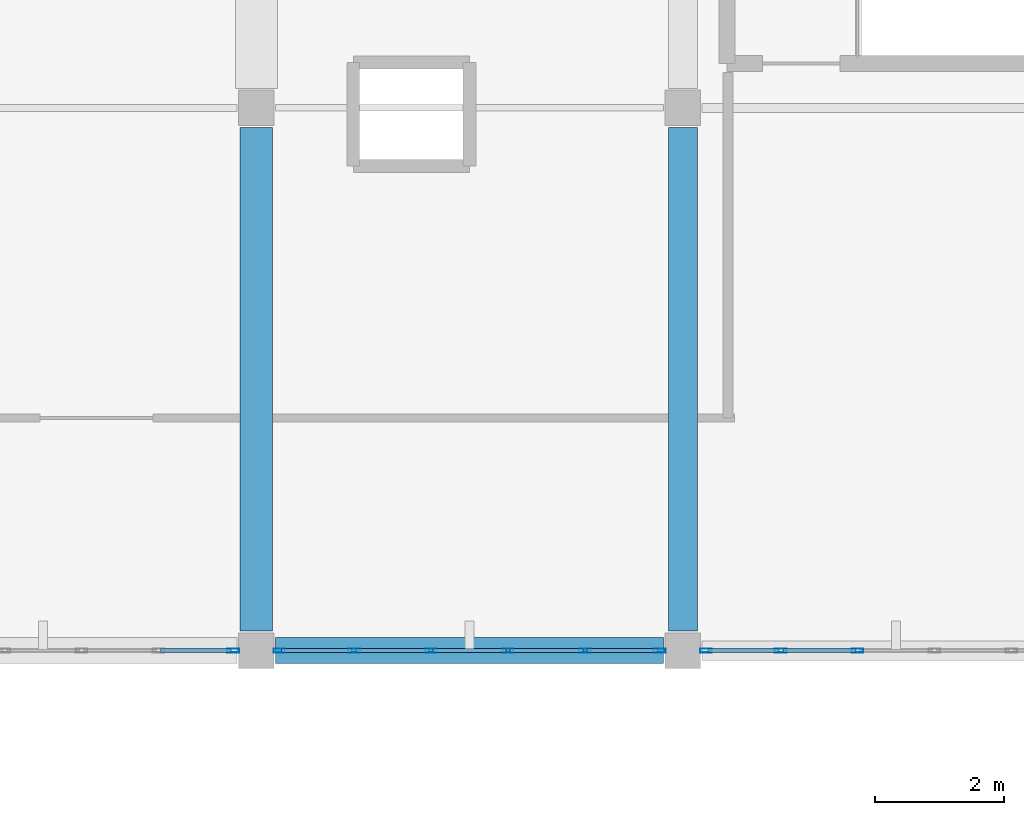
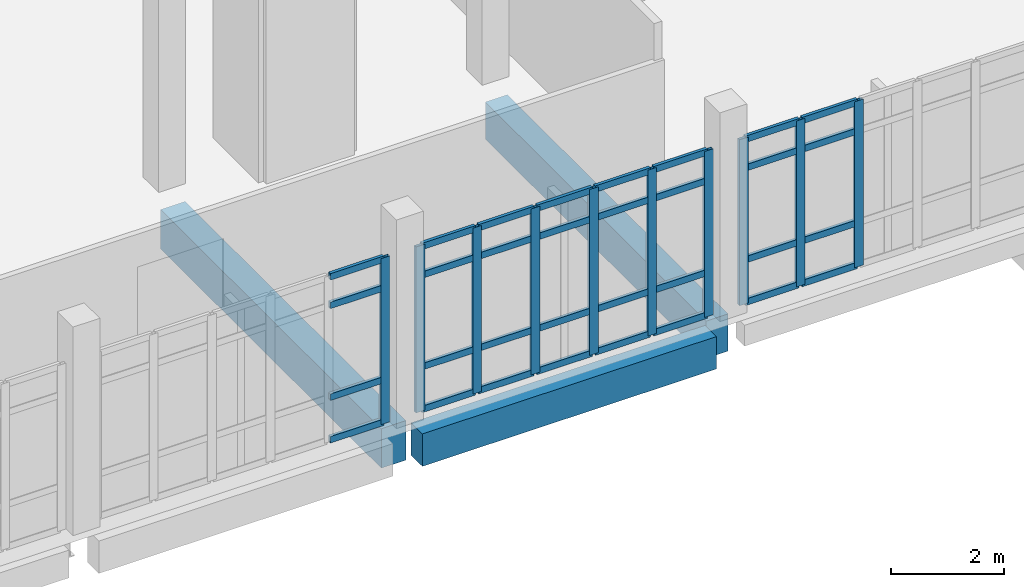
# One storey, part 82 of 134: 42 members, 3 beams, 3 elements without a shape of their own.
"""IFC4 building model written with IfcOpenShell, lengths in metres."""

from ifc_helpers import new_model, si_unit, direction, frame, origin, origin_2d, place, context, subcontext, project, spatial, rectangle, hollow_rectangle, extrude, material, material_profile, profile_set, type_object, element, aggregate, save


model = new_model("IFC4")

# Units and contexts
model_context = context("Model", 3, precision=1e-05, world=origin(), true_north=direction((0.0, 1.0)))
body_context = subcontext(model_context, "Body", "Model", "MODEL_VIEW")
ifc_project = project(units=[si_unit("LENGTHUNIT", "METRE"), si_unit("AREAUNIT", "SQUARE_METRE"), si_unit("VOLUMEUNIT", "CUBIC_METRE"), si_unit("PLANEANGLEUNIT", "RADIAN"), si_unit("MASSUNIT", "GRAM", prefix="KILO")], contexts=[model_context])

# Site, building, storey
site_placement = place(None, origin())
site = spatial("IfcSite", under=ifc_project, at=site_placement, CompositionType="ELEMENT")
building_placement = place(site_placement, origin())
building = spatial("IfcBuilding", under=site, at=building_placement, Name="Kalluvel Institute of Natural Sciences", CompositionType="ELEMENT")
storey_placement = place(building_placement, frame((0.0, 0.0, 5.39990234375)))
storey = spatial("IfcBuildingStorey", under=building, at=storey_placement, Name="L01", CompositionType="ELEMENT", Elevation=5.39990234375)

# Beams
ifc_material_1 = material(Name="Concrete M40", Category="concrete")
ifc_material_profile_1 = material_profile(ifc_material_1, rectangle(XDim=0.449951171875, YDim=0.800048828125, at=origin_2d()), Name="RCB 450x800")
ifc_profile_set_1 = profile_set([ifc_material_profile_1], Name="Concrete M40")
beam_type_1 = type_object("IfcBeamType", Name="BM-RC450x800", PredefinedType="BEAM", material=ifc_profile_set_1)
beam_1_placement = place(storey_placement, frame((149.0, 103.10009765625, -0.760009765625), z_axis=(0.0, 1.0, 0.0), x_axis=(-1.0, 0.0, 0.0)))
element("IfcBeam", 1, at=beam_1_placement, inside=storey, type_object=beam_type_1, Name="L01 girder GIR-L01-NS-X1490-Y1028", PredefinedType="BEAM", context=body_context, shape_type="SweptSolid", body=[
    extrude(rectangle(XDim=0.449951171875, YDim=0.800048828125, at=origin_2d()), origin(), (0.0, 0.0, 1.0), 7.7998046875),
])
ifc_material_2 = material(Name="Concrete M50", Category="concrete")
ifc_material_profile_2 = material_profile(ifc_material_2, rectangle(XDim=0.5, YDim=0.85009765625, at=origin_2d()), Name="RCB 500x850")
ifc_profile_set_2 = profile_set([ifc_material_profile_2], Name="Concrete M50")
beam_type_2 = type_object("IfcBeamType", Name="BM-RC500x850", PredefinedType="BEAM", material=ifc_profile_set_2)
beam_2_placement = place(storey_placement, frame((142.39990234375, 103.10009765625, -0.784912109375), z_axis=(0.0, 1.0, 0.0), x_axis=(-1.0, 0.0, 0.0)))
element("IfcBeam", 2, at=beam_2_placement, inside=storey, type_object=beam_type_2, Name="L01 girder GIR-L01-NS-X1424-Y1028", PredefinedType="BEAM", context=body_context, shape_type="SweptSolid", body=[
    extrude(rectangle(XDim=0.5, YDim=0.85009765625, at=origin_2d()), origin(), (0.0, 0.0, 1.0), 7.7998046875),
])

# Curtain wall, member
ifc_material_3 = material(Name="Aluminium AW-6063 T6", Category="aluminium")
curtain_wall_type = type_object("IfcCurtainWallType", Name="CW-CLN-45", PredefinedType="USERDEFINED", material=ifc_material_3)
curtain_wall_1_placement = place(storey_placement, origin())
curtain_wall_1 = element("IfcCurtainWall", 3, at=curtain_wall_1_placement, inside=storey, type_object=curtain_wall_type, Name="L01 Gothic lancet curtain wall CWA-L01-X1361-Y1028", ObjectType="UNITISED LANCET FACADE", PredefinedType="USERDEFINED")
ifc_material_profile_3 = material_profile(ifc_material_3, hollow_rectangle(XDim=0.06494140625, YDim=0.179931640625, WallThickness=0.00439453125, at=origin_2d()), Name="CWM 65x180")
ifc_profile_set_3 = profile_set([ifc_material_profile_3], Name="Aluminium AW-6063 T6")
member_type_1 = type_object("IfcMemberType", Name="CWM-65x180", PredefinedType="MULLION", material=ifc_profile_set_3)
member_1_placement = place(storey_placement, frame((142.04248046875, 102.800048828125, 0.0), z_axis=(0.0, 0.0, 1.0), x_axis=(0.0, 1.0, 0.0)))
member_1 = element("IfcMember", 4, at=member_1_placement, type_object=member_type_1, Name="CW-08 mullion 6", PredefinedType="MULLION", context=body_context, shape_type="SweptSolid", body=[
    extrude(hollow_rectangle(XDim=0.06494140625, YDim=0.179931640625, WallThickness=0.00439453125, at=origin_2d()), origin(), (0.0, 0.0, 1.0), 3.580078125),
])

# Curtain wall, members
curtain_wall_2_placement = place(storey_placement, origin())
curtain_wall_2 = element("IfcCurtainWall", 5, at=curtain_wall_2_placement, inside=storey, type_object=curtain_wall_type, Name="L01 Gothic lancet curtain wall CWA-L01-X1427-Y1028", ObjectType="UNITISED LANCET FACADE", PredefinedType="USERDEFINED")
member_2_placement = place(storey_placement, frame((142.757568359375, 102.800048828125, 0.0), z_axis=(0.0, 0.0, 1.0), x_axis=(0.0, 1.0, 0.0)))
member_2 = element("IfcMember", 6, at=member_2_placement, type_object=member_type_1, Name="CW-08 mullion 1", PredefinedType="MULLION", context=body_context, shape_type="SweptSolid", body=[
    extrude(hollow_rectangle(XDim=0.06494140625, YDim=0.179931640625, WallThickness=0.00439453125, at=origin_2d()), origin(), (0.0, 0.0, 1.0), 3.580078125),
])
member_3_placement = place(storey_placement, frame((143.9150390625, 102.800048828125, 0.0), z_axis=(0.0, 0.0, 1.0), x_axis=(0.0, 1.0, 0.0)))
member_3 = element("IfcMember", 7, at=member_3_placement, type_object=member_type_1, Name="CW-08 mullion 2", PredefinedType="MULLION", context=body_context, shape_type="SweptSolid", body=[
    extrude(hollow_rectangle(XDim=0.06494140625, YDim=0.179931640625, WallThickness=0.00439453125, at=origin_2d()), origin(), (0.0, 0.0, 1.0), 3.580078125),
])
member_4_placement = place(storey_placement, frame((145.10498046875, 102.800048828125, 0.0), z_axis=(0.0, 0.0, 1.0), x_axis=(0.0, 1.0, 0.0)))
member_4 = element("IfcMember", 8, at=member_4_placement, type_object=member_type_1, Name="CW-08 mullion 3", PredefinedType="MULLION", context=body_context, shape_type="SweptSolid", body=[
    extrude(hollow_rectangle(XDim=0.06494140625, YDim=0.179931640625, WallThickness=0.00439453125, at=origin_2d()), origin(), (0.0, 0.0, 1.0), 3.580078125),
])
member_5_placement = place(storey_placement, frame((146.294921875, 102.800048828125, 0.0), z_axis=(0.0, 0.0, 1.0), x_axis=(0.0, 1.0, 0.0)))
member_5 = element("IfcMember", 9, at=member_5_placement, type_object=member_type_1, Name="CW-08 mullion 4", PredefinedType="MULLION", context=body_context, shape_type="SweptSolid", body=[
    extrude(hollow_rectangle(XDim=0.06494140625, YDim=0.179931640625, WallThickness=0.00439453125, at=origin_2d()), origin(), (0.0, 0.0, 1.0), 3.580078125),
])
member_6_placement = place(storey_placement, frame((147.485107421875, 102.800048828125, 0.0), z_axis=(0.0, 0.0, 1.0), x_axis=(0.0, 1.0, 0.0)))
member_6 = element("IfcMember", 10, at=member_6_placement, type_object=member_type_1, Name="CW-08 mullion 5", PredefinedType="MULLION", context=body_context, shape_type="SweptSolid", body=[
    extrude(hollow_rectangle(XDim=0.06494140625, YDim=0.179931640625, WallThickness=0.00439453125, at=origin_2d()), origin(), (0.0, 0.0, 1.0), 3.580078125),
])
member_7_placement = place(storey_placement, frame((148.642578125, 102.800048828125, 0.0), z_axis=(0.0, 0.0, 1.0), x_axis=(0.0, 1.0, 0.0)))
member_7 = element("IfcMember", 11, at=member_7_placement, type_object=member_type_1, Name="CW-08 mullion 6", PredefinedType="MULLION", context=body_context, shape_type="SweptSolid", body=[
    extrude(hollow_rectangle(XDim=0.06494140625, YDim=0.179931640625, WallThickness=0.00439453125, at=origin_2d()), origin(), (0.0, 0.0, 1.0), 3.580078125),
])

curtain_wall_3_placement = place(storey_placement, origin())
curtain_wall_3 = element("IfcCurtainWall", 12, at=curtain_wall_3_placement, inside=storey, type_object=curtain_wall_type, Name="L01 Gothic lancet curtain wall CWA-L01-X1493-Y1028", ObjectType="UNITISED LANCET FACADE", PredefinedType="USERDEFINED")
member_8_placement = place(storey_placement, frame((149.357421875, 102.800048828125, 0.0), z_axis=(0.0, 0.0, 1.0), x_axis=(0.0, 1.0, 0.0)))
member_8 = element("IfcMember", 13, at=member_8_placement, type_object=member_type_1, Name="CW-08 mullion 1", PredefinedType="MULLION", context=body_context, shape_type="SweptSolid", body=[
    extrude(hollow_rectangle(XDim=0.06494140625, YDim=0.179931640625, WallThickness=0.00439453125, at=origin_2d()), origin(), (0.0, 0.0, 1.0), 3.580078125),
])
member_9_placement = place(storey_placement, frame((150.514892578125, 102.800048828125, 0.0), z_axis=(0.0, 0.0, 1.0), x_axis=(0.0, 1.0, 0.0)))
member_9 = element("IfcMember", 14, at=member_9_placement, type_object=member_type_1, Name="CW-08 mullion 2", PredefinedType="MULLION", context=body_context, shape_type="SweptSolid", body=[
    extrude(hollow_rectangle(XDim=0.06494140625, YDim=0.179931640625, WallThickness=0.00439453125, at=origin_2d()), origin(), (0.0, 0.0, 1.0), 3.580078125),
])
member_10_placement = place(storey_placement, frame((151.705078125, 102.800048828125, 0.0), z_axis=(0.0, 0.0, 1.0), x_axis=(0.0, 1.0, 0.0)))
member_10 = element("IfcMember", 15, at=member_10_placement, type_object=member_type_1, Name="CW-08 mullion 3", PredefinedType="MULLION", context=body_context, shape_type="SweptSolid", body=[
    extrude(hollow_rectangle(XDim=0.06494140625, YDim=0.179931640625, WallThickness=0.00439453125, at=origin_2d()), origin(), (0.0, 0.0, 1.0), 3.580078125),
])

# Member
ifc_material_profile_4 = material_profile(ifc_material_3, hollow_rectangle(XDim=0.06494140625, YDim=0.139892578125, WallThickness=0.00439453125, at=origin_2d()), Name="CWT 65x140")
ifc_profile_set_4 = profile_set([ifc_material_profile_4], Name="Aluminium AW-6063 T6")
member_type_2 = type_object("IfcMemberType", Name="CWT-65x140", PredefinedType="USERDEFINED", material=ifc_profile_set_4)
member_11_placement = place(storey_placement, frame((140.91748046875, 102.800048828125, 0.03271484375), z_axis=(1.0, 0.0, 0.0), x_axis=(0.0, 1.0, 0.0)))
member_11 = element("IfcMember", 16, at=member_11_placement, type_object=member_type_2, Name="CW-08 transom 5.1", ObjectType="TRANSOM", PredefinedType="USERDEFINED", context=body_context, shape_type="SweptSolid", body=[
    extrude(hollow_rectangle(XDim=0.06494140625, YDim=0.139892578125, WallThickness=0.00439453125, at=origin_2d()), origin(), (0.0, 0.0, 1.0), 1.092529296875),
])

member_12_placement = place(storey_placement, frame((140.91748046875, 102.800048828125, 0.9501953125), z_axis=(1.0, 0.0, 0.0), x_axis=(0.0, 1.0, 0.0)))
member_12 = element("IfcMember", 17, at=member_12_placement, type_object=member_type_2, Name="CW-08 transom 5.2", ObjectType="TRANSOM", PredefinedType="USERDEFINED", context=body_context, shape_type="SweptSolid", body=[
    extrude(hollow_rectangle(XDim=0.06494140625, YDim=0.139892578125, WallThickness=0.00439453125, at=origin_2d()), origin(), (0.0, 0.0, 1.0), 1.092529296875),
])

member_13_placement = place(storey_placement, frame((140.91748046875, 102.800048828125, 2.93017578125), z_axis=(1.0, 0.0, 0.0), x_axis=(0.0, 1.0, 0.0)))
member_13 = element("IfcMember", 18, at=member_13_placement, type_object=member_type_2, Name="CW-08 transom 5.3", ObjectType="TRANSOM", PredefinedType="USERDEFINED", context=body_context, shape_type="SweptSolid", body=[
    extrude(hollow_rectangle(XDim=0.06494140625, YDim=0.139892578125, WallThickness=0.00439453125, at=origin_2d()), origin(), (0.0, 0.0, 1.0), 1.092529296875),
])

member_14_placement = place(storey_placement, frame((140.91748046875, 102.800048828125, 3.547607421875), z_axis=(1.0, 0.0, 0.0), x_axis=(0.0, 1.0, 0.0)))
member_14 = element("IfcMember", 19, at=member_14_placement, type_object=member_type_2, Name="CW-08 transom 5.4", ObjectType="TRANSOM", PredefinedType="USERDEFINED", context=body_context, shape_type="SweptSolid", body=[
    extrude(hollow_rectangle(XDim=0.06494140625, YDim=0.139892578125, WallThickness=0.00439453125, at=origin_2d()), origin(), (0.0, 0.0, 1.0), 1.092529296875),
])

aggregate(curtain_wall_1, [member_1, member_11, member_12, member_13, member_14])

member_15_placement = place(storey_placement, frame((142.7900390625, 102.800048828125, 0.03271484375), z_axis=(1.0, 0.0, 0.0), x_axis=(0.0, 1.0, 0.0)))
member_15 = element("IfcMember", 20, at=member_15_placement, type_object=member_type_2, Name="CW-08 transom 1.1", ObjectType="TRANSOM", PredefinedType="USERDEFINED", context=body_context, shape_type="SweptSolid", body=[
    extrude(hollow_rectangle(XDim=0.06494140625, YDim=0.139892578125, WallThickness=0.00439453125, at=origin_2d()), origin(), (0.0, 0.0, 1.0), 1.092529296875),
])

member_16_placement = place(storey_placement, frame((142.7900390625, 102.800048828125, 0.9501953125), z_axis=(1.0, 0.0, 0.0), x_axis=(0.0, 1.0, 0.0)))
member_16 = element("IfcMember", 21, at=member_16_placement, type_object=member_type_2, Name="CW-08 transom 1.2", ObjectType="TRANSOM", PredefinedType="USERDEFINED", context=body_context, shape_type="SweptSolid", body=[
    extrude(hollow_rectangle(XDim=0.06494140625, YDim=0.139892578125, WallThickness=0.00439453125, at=origin_2d()), origin(), (0.0, 0.0, 1.0), 1.092529296875),
])

member_17_placement = place(storey_placement, frame((142.7900390625, 102.800048828125, 2.93017578125), z_axis=(1.0, 0.0, 0.0), x_axis=(0.0, 1.0, 0.0)))
member_17 = element("IfcMember", 22, at=member_17_placement, type_object=member_type_2, Name="CW-08 transom 1.3", ObjectType="TRANSOM", PredefinedType="USERDEFINED", context=body_context, shape_type="SweptSolid", body=[
    extrude(hollow_rectangle(XDim=0.06494140625, YDim=0.139892578125, WallThickness=0.00439453125, at=origin_2d()), origin(), (0.0, 0.0, 1.0), 1.092529296875),
])

member_18_placement = place(storey_placement, frame((142.7900390625, 102.800048828125, 3.547607421875), z_axis=(1.0, 0.0, 0.0), x_axis=(0.0, 1.0, 0.0)))
member_18 = element("IfcMember", 23, at=member_18_placement, type_object=member_type_2, Name="CW-08 transom 1.4", ObjectType="TRANSOM", PredefinedType="USERDEFINED", context=body_context, shape_type="SweptSolid", body=[
    extrude(hollow_rectangle(XDim=0.06494140625, YDim=0.139892578125, WallThickness=0.00439453125, at=origin_2d()), origin(), (0.0, 0.0, 1.0), 1.092529296875),
])

member_19_placement = place(storey_placement, frame((143.947509765625, 102.800048828125, 0.03271484375), z_axis=(1.0, 0.0, 0.0), x_axis=(0.0, 1.0, 0.0)))
member_19 = element("IfcMember", 24, at=member_19_placement, type_object=member_type_2, Name="CW-08 transom 2.1", ObjectType="TRANSOM", PredefinedType="USERDEFINED", context=body_context, shape_type="SweptSolid", body=[
    extrude(hollow_rectangle(XDim=0.06494140625, YDim=0.139892578125, WallThickness=0.00439453125, at=origin_2d()), origin(), (0.0, 0.0, 1.0), 1.125),
])

member_20_placement = place(storey_placement, frame((143.947509765625, 102.800048828125, 0.9501953125), z_axis=(1.0, 0.0, 0.0), x_axis=(0.0, 1.0, 0.0)))
member_20 = element("IfcMember", 25, at=member_20_placement, type_object=member_type_2, Name="CW-08 transom 2.2", ObjectType="TRANSOM", PredefinedType="USERDEFINED", context=body_context, shape_type="SweptSolid", body=[
    extrude(hollow_rectangle(XDim=0.06494140625, YDim=0.139892578125, WallThickness=0.00439453125, at=origin_2d()), origin(), (0.0, 0.0, 1.0), 1.125),
])

member_21_placement = place(storey_placement, frame((143.947509765625, 102.800048828125, 2.93017578125), z_axis=(1.0, 0.0, 0.0), x_axis=(0.0, 1.0, 0.0)))
member_21 = element("IfcMember", 26, at=member_21_placement, type_object=member_type_2, Name="CW-08 transom 2.3", ObjectType="TRANSOM", PredefinedType="USERDEFINED", context=body_context, shape_type="SweptSolid", body=[
    extrude(hollow_rectangle(XDim=0.06494140625, YDim=0.139892578125, WallThickness=0.00439453125, at=origin_2d()), origin(), (0.0, 0.0, 1.0), 1.125),
])

member_22_placement = place(storey_placement, frame((143.947509765625, 102.800048828125, 3.547607421875), z_axis=(1.0, 0.0, 0.0), x_axis=(0.0, 1.0, 0.0)))
member_22 = element("IfcMember", 27, at=member_22_placement, type_object=member_type_2, Name="CW-08 transom 2.4", ObjectType="TRANSOM", PredefinedType="USERDEFINED", context=body_context, shape_type="SweptSolid", body=[
    extrude(hollow_rectangle(XDim=0.06494140625, YDim=0.139892578125, WallThickness=0.00439453125, at=origin_2d()), origin(), (0.0, 0.0, 1.0), 1.125),
])

member_23_placement = place(storey_placement, frame((145.137451171875, 102.800048828125, 0.03271484375), z_axis=(1.0, 0.0, 0.0), x_axis=(0.0, 1.0, 0.0)))
member_23 = element("IfcMember", 28, at=member_23_placement, type_object=member_type_2, Name="CW-08 transom 3.1", ObjectType="TRANSOM", PredefinedType="USERDEFINED", context=body_context, shape_type="SweptSolid", body=[
    extrude(hollow_rectangle(XDim=0.06494140625, YDim=0.139892578125, WallThickness=0.00439453125, at=origin_2d()), origin(), (0.0, 0.0, 1.0), 1.125),
])

member_24_placement = place(storey_placement, frame((145.137451171875, 102.800048828125, 0.9501953125), z_axis=(1.0, 0.0, 0.0), x_axis=(0.0, 1.0, 0.0)))
member_24 = element("IfcMember", 29, at=member_24_placement, type_object=member_type_2, Name="CW-08 transom 3.2", ObjectType="TRANSOM", PredefinedType="USERDEFINED", context=body_context, shape_type="SweptSolid", body=[
    extrude(hollow_rectangle(XDim=0.06494140625, YDim=0.139892578125, WallThickness=0.00439453125, at=origin_2d()), origin(), (0.0, 0.0, 1.0), 1.125),
])

member_25_placement = place(storey_placement, frame((145.137451171875, 102.800048828125, 2.93017578125), z_axis=(1.0, 0.0, 0.0), x_axis=(0.0, 1.0, 0.0)))
member_25 = element("IfcMember", 30, at=member_25_placement, type_object=member_type_2, Name="CW-08 transom 3.3", ObjectType="TRANSOM", PredefinedType="USERDEFINED", context=body_context, shape_type="SweptSolid", body=[
    extrude(hollow_rectangle(XDim=0.06494140625, YDim=0.139892578125, WallThickness=0.00439453125, at=origin_2d()), origin(), (0.0, 0.0, 1.0), 1.125),
])

member_26_placement = place(storey_placement, frame((145.137451171875, 102.800048828125, 3.547607421875), z_axis=(1.0, 0.0, 0.0), x_axis=(0.0, 1.0, 0.0)))
member_26 = element("IfcMember", 31, at=member_26_placement, type_object=member_type_2, Name="CW-08 transom 3.4", ObjectType="TRANSOM", PredefinedType="USERDEFINED", context=body_context, shape_type="SweptSolid", body=[
    extrude(hollow_rectangle(XDim=0.06494140625, YDim=0.139892578125, WallThickness=0.00439453125, at=origin_2d()), origin(), (0.0, 0.0, 1.0), 1.125),
])

member_27_placement = place(storey_placement, frame((146.327392578125, 102.800048828125, 0.03271484375), z_axis=(1.0, 0.0, 0.0), x_axis=(0.0, 1.0, 0.0)))
member_27 = element("IfcMember", 32, at=member_27_placement, type_object=member_type_2, Name="CW-08 transom 4.1", ObjectType="TRANSOM", PredefinedType="USERDEFINED", context=body_context, shape_type="SweptSolid", body=[
    extrude(hollow_rectangle(XDim=0.06494140625, YDim=0.139892578125, WallThickness=0.00439453125, at=origin_2d()), origin(), (0.0, 0.0, 1.0), 1.125),
])

member_28_placement = place(storey_placement, frame((146.327392578125, 102.800048828125, 0.9501953125), z_axis=(1.0, 0.0, 0.0), x_axis=(0.0, 1.0, 0.0)))
member_28 = element("IfcMember", 33, at=member_28_placement, type_object=member_type_2, Name="CW-08 transom 4.2", ObjectType="TRANSOM", PredefinedType="USERDEFINED", context=body_context, shape_type="SweptSolid", body=[
    extrude(hollow_rectangle(XDim=0.06494140625, YDim=0.139892578125, WallThickness=0.00439453125, at=origin_2d()), origin(), (0.0, 0.0, 1.0), 1.125),
])

member_29_placement = place(storey_placement, frame((146.327392578125, 102.800048828125, 2.93017578125), z_axis=(1.0, 0.0, 0.0), x_axis=(0.0, 1.0, 0.0)))
member_29 = element("IfcMember", 34, at=member_29_placement, type_object=member_type_2, Name="CW-08 transom 4.3", ObjectType="TRANSOM", PredefinedType="USERDEFINED", context=body_context, shape_type="SweptSolid", body=[
    extrude(hollow_rectangle(XDim=0.06494140625, YDim=0.139892578125, WallThickness=0.00439453125, at=origin_2d()), origin(), (0.0, 0.0, 1.0), 1.125),
])

member_30_placement = place(storey_placement, frame((146.327392578125, 102.800048828125, 3.547607421875), z_axis=(1.0, 0.0, 0.0), x_axis=(0.0, 1.0, 0.0)))
member_30 = element("IfcMember", 35, at=member_30_placement, type_object=member_type_2, Name="CW-08 transom 4.4", ObjectType="TRANSOM", PredefinedType="USERDEFINED", context=body_context, shape_type="SweptSolid", body=[
    extrude(hollow_rectangle(XDim=0.06494140625, YDim=0.139892578125, WallThickness=0.00439453125, at=origin_2d()), origin(), (0.0, 0.0, 1.0), 1.125),
])

member_31_placement = place(storey_placement, frame((147.517578125, 102.800048828125, 0.03271484375), z_axis=(1.0, 0.0, 0.0), x_axis=(0.0, 1.0, 0.0)))
member_31 = element("IfcMember", 36, at=member_31_placement, type_object=member_type_2, Name="CW-08 transom 5.1", ObjectType="TRANSOM", PredefinedType="USERDEFINED", context=body_context, shape_type="SweptSolid", body=[
    extrude(hollow_rectangle(XDim=0.06494140625, YDim=0.139892578125, WallThickness=0.00439453125, at=origin_2d()), origin(), (0.0, 0.0, 1.0), 1.092529296875),
])

member_32_placement = place(storey_placement, frame((147.517578125, 102.800048828125, 0.9501953125), z_axis=(1.0, 0.0, 0.0), x_axis=(0.0, 1.0, 0.0)))
member_32 = element("IfcMember", 37, at=member_32_placement, type_object=member_type_2, Name="CW-08 transom 5.2", ObjectType="TRANSOM", PredefinedType="USERDEFINED", context=body_context, shape_type="SweptSolid", body=[
    extrude(hollow_rectangle(XDim=0.06494140625, YDim=0.139892578125, WallThickness=0.00439453125, at=origin_2d()), origin(), (0.0, 0.0, 1.0), 1.092529296875),
])

member_33_placement = place(storey_placement, frame((147.517578125, 102.800048828125, 2.93017578125), z_axis=(1.0, 0.0, 0.0), x_axis=(0.0, 1.0, 0.0)))
member_33 = element("IfcMember", 38, at=member_33_placement, type_object=member_type_2, Name="CW-08 transom 5.3", ObjectType="TRANSOM", PredefinedType="USERDEFINED", context=body_context, shape_type="SweptSolid", body=[
    extrude(hollow_rectangle(XDim=0.06494140625, YDim=0.139892578125, WallThickness=0.00439453125, at=origin_2d()), origin(), (0.0, 0.0, 1.0), 1.092529296875),
])

member_34_placement = place(storey_placement, frame((147.517578125, 102.800048828125, 3.547607421875), z_axis=(1.0, 0.0, 0.0), x_axis=(0.0, 1.0, 0.0)))
member_34 = element("IfcMember", 39, at=member_34_placement, type_object=member_type_2, Name="CW-08 transom 5.4", ObjectType="TRANSOM", PredefinedType="USERDEFINED", context=body_context, shape_type="SweptSolid", body=[
    extrude(hollow_rectangle(XDim=0.06494140625, YDim=0.139892578125, WallThickness=0.00439453125, at=origin_2d()), origin(), (0.0, 0.0, 1.0), 1.092529296875),
])

aggregate(curtain_wall_2, [member_2, member_3, member_4, member_5, member_6, member_7, member_15, member_16, member_17, member_18, member_19, member_20, member_21, member_22, member_23, member_24, member_25, member_26, member_27, member_28, member_29, member_30, member_31, member_32, member_33, member_34])

member_35_placement = place(storey_placement, frame((149.389892578125, 102.800048828125, 0.03271484375), z_axis=(1.0, 0.0, 0.0), x_axis=(0.0, 1.0, 0.0)))
member_35 = element("IfcMember", 40, at=member_35_placement, type_object=member_type_2, Name="CW-08 transom 1.1", ObjectType="TRANSOM", PredefinedType="USERDEFINED", context=body_context, shape_type="SweptSolid", body=[
    extrude(hollow_rectangle(XDim=0.06494140625, YDim=0.139892578125, WallThickness=0.00439453125, at=origin_2d()), origin(), (0.0, 0.0, 1.0), 1.092529296875),
])

member_36_placement = place(storey_placement, frame((149.389892578125, 102.800048828125, 0.9501953125), z_axis=(1.0, 0.0, 0.0), x_axis=(0.0, 1.0, 0.0)))
member_36 = element("IfcMember", 41, at=member_36_placement, type_object=member_type_2, Name="CW-08 transom 1.2", ObjectType="TRANSOM", PredefinedType="USERDEFINED", context=body_context, shape_type="SweptSolid", body=[
    extrude(hollow_rectangle(XDim=0.06494140625, YDim=0.139892578125, WallThickness=0.00439453125, at=origin_2d()), origin(), (0.0, 0.0, 1.0), 1.092529296875),
])

member_37_placement = place(storey_placement, frame((149.389892578125, 102.800048828125, 2.93017578125), z_axis=(1.0, 0.0, 0.0), x_axis=(0.0, 1.0, 0.0)))
member_37 = element("IfcMember", 42, at=member_37_placement, type_object=member_type_2, Name="CW-08 transom 1.3", ObjectType="TRANSOM", PredefinedType="USERDEFINED", context=body_context, shape_type="SweptSolid", body=[
    extrude(hollow_rectangle(XDim=0.06494140625, YDim=0.139892578125, WallThickness=0.00439453125, at=origin_2d()), origin(), (0.0, 0.0, 1.0), 1.092529296875),
])

member_38_placement = place(storey_placement, frame((149.389892578125, 102.800048828125, 3.547607421875), z_axis=(1.0, 0.0, 0.0), x_axis=(0.0, 1.0, 0.0)))
member_38 = element("IfcMember", 43, at=member_38_placement, type_object=member_type_2, Name="CW-08 transom 1.4", ObjectType="TRANSOM", PredefinedType="USERDEFINED", context=body_context, shape_type="SweptSolid", body=[
    extrude(hollow_rectangle(XDim=0.06494140625, YDim=0.139892578125, WallThickness=0.00439453125, at=origin_2d()), origin(), (0.0, 0.0, 1.0), 1.092529296875),
])

member_39_placement = place(storey_placement, frame((150.547607421875, 102.800048828125, 0.03271484375), z_axis=(1.0, 0.0, 0.0), x_axis=(0.0, 1.0, 0.0)))
member_39 = element("IfcMember", 44, at=member_39_placement, type_object=member_type_2, Name="CW-08 transom 2.1", ObjectType="TRANSOM", PredefinedType="USERDEFINED", context=body_context, shape_type="SweptSolid", body=[
    extrude(hollow_rectangle(XDim=0.06494140625, YDim=0.139892578125, WallThickness=0.00439453125, at=origin_2d()), origin(), (0.0, 0.0, 1.0), 1.125),
])

member_40_placement = place(storey_placement, frame((150.547607421875, 102.800048828125, 0.9501953125), z_axis=(1.0, 0.0, 0.0), x_axis=(0.0, 1.0, 0.0)))
member_40 = element("IfcMember", 45, at=member_40_placement, type_object=member_type_2, Name="CW-08 transom 2.2", ObjectType="TRANSOM", PredefinedType="USERDEFINED", context=body_context, shape_type="SweptSolid", body=[
    extrude(hollow_rectangle(XDim=0.06494140625, YDim=0.139892578125, WallThickness=0.00439453125, at=origin_2d()), origin(), (0.0, 0.0, 1.0), 1.125),
])

member_41_placement = place(storey_placement, frame((150.547607421875, 102.800048828125, 2.93017578125), z_axis=(1.0, 0.0, 0.0), x_axis=(0.0, 1.0, 0.0)))
member_41 = element("IfcMember", 46, at=member_41_placement, type_object=member_type_2, Name="CW-08 transom 2.3", ObjectType="TRANSOM", PredefinedType="USERDEFINED", context=body_context, shape_type="SweptSolid", body=[
    extrude(hollow_rectangle(XDim=0.06494140625, YDim=0.139892578125, WallThickness=0.00439453125, at=origin_2d()), origin(), (0.0, 0.0, 1.0), 1.125),
])

member_42_placement = place(storey_placement, frame((150.547607421875, 102.800048828125, 3.547607421875), z_axis=(1.0, 0.0, 0.0), x_axis=(0.0, 1.0, 0.0)))
member_42 = element("IfcMember", 47, at=member_42_placement, type_object=member_type_2, Name="CW-08 transom 2.4", ObjectType="TRANSOM", PredefinedType="USERDEFINED", context=body_context, shape_type="SweptSolid", body=[
    extrude(hollow_rectangle(XDim=0.06494140625, YDim=0.139892578125, WallThickness=0.00439453125, at=origin_2d()), origin(), (0.0, 0.0, 1.0), 1.125),
])

aggregate(curtain_wall_3, [member_8, member_9, member_10, member_35, member_36, member_37, member_38, member_39, member_40, member_41, member_42])

# Beam
ifc_material_profile_5 = material_profile(ifc_material_1, rectangle(XDim=0.39990234375, YDim=0.699951171875, at=origin_2d()), Name="RCB 400x700")
ifc_profile_set_5 = profile_set([ifc_material_profile_5], Name="Concrete M40")
beam_type_3 = type_object("IfcBeamType", Name="SP-RC400x700", PredefinedType="SPANDREL", material=ifc_profile_set_5)
beam_3_placement = place(storey_placement, frame((142.699951171875, 102.800048828125, -0.7099609375), z_axis=(1.0, 0.0, 0.0), x_axis=(0.0, 1.0, 0.0)))
element("IfcBeam", 48, at=beam_3_placement, inside=storey, type_object=beam_type_3, Name="L01 girder GIR-L01-EW-X1424-Y1028", PredefinedType="SPANDREL", context=body_context, shape_type="SweptSolid", body=[
    extrude(rectangle(XDim=0.39990234375, YDim=0.699951171875, at=origin_2d()), origin(), (0.0, 0.0, 1.0), 6.0),
])

save(model, "model.ifc")
